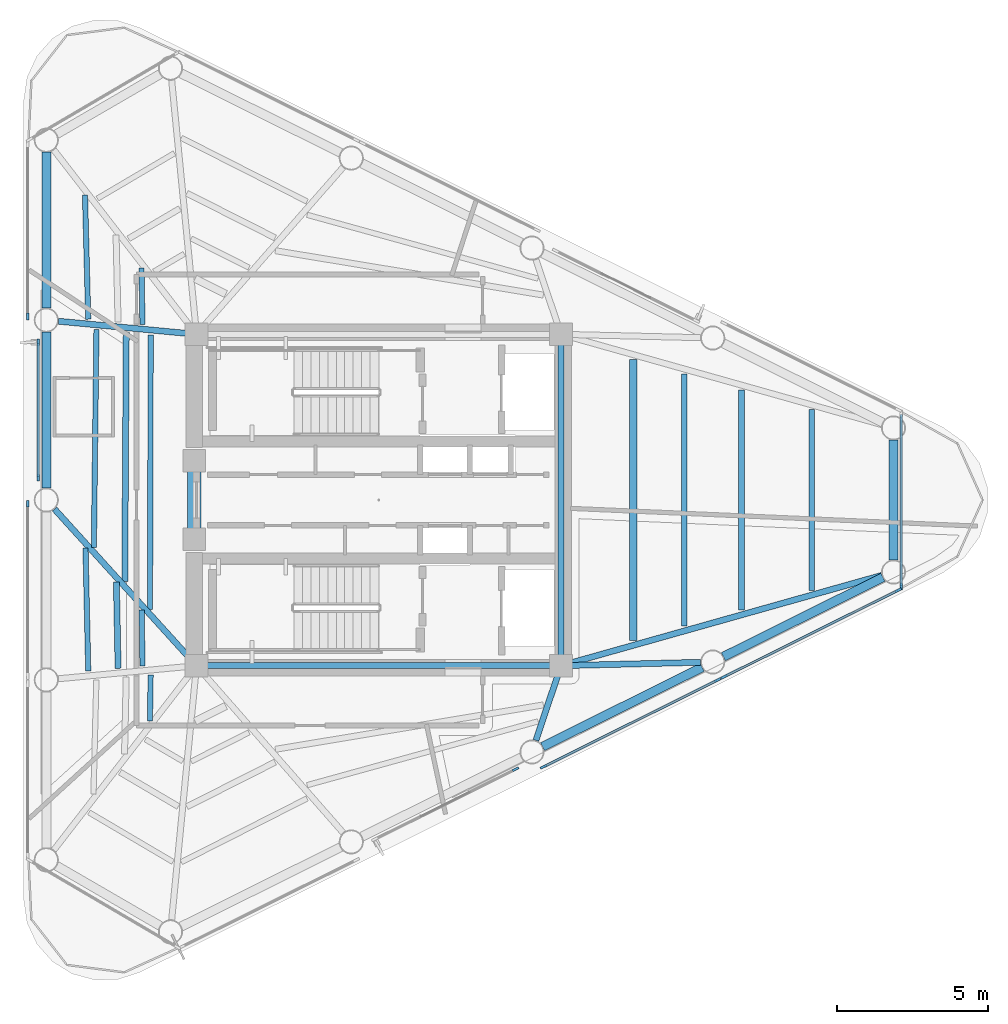
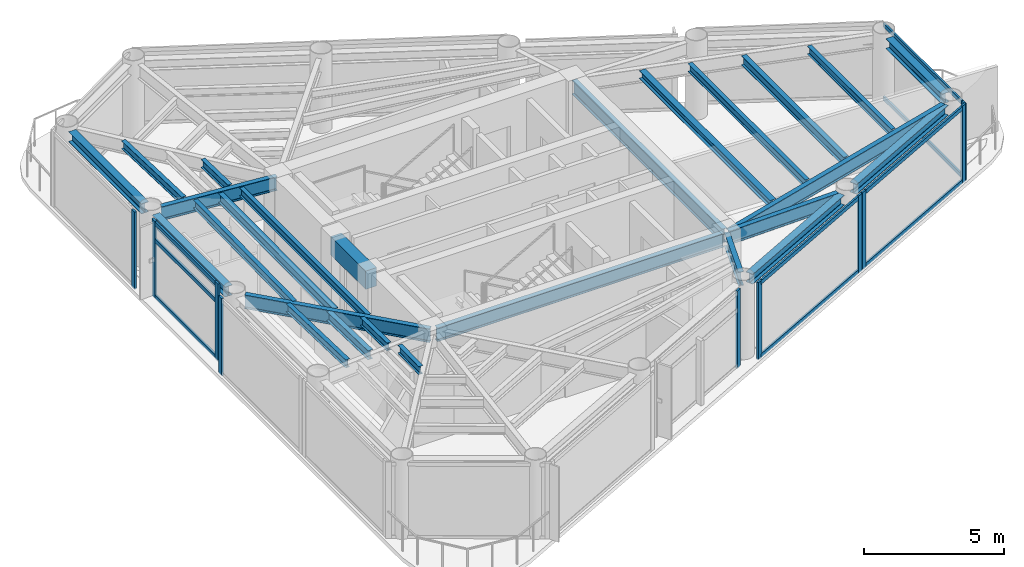
# One storey, part 2 of 10: 26 beams, 19 members, 7 elements without a shape of their own.
"""IFC4 building model written with IfcOpenShell, lengths in metres."""

from ifc_helpers import new_model, si_unit, direction, frame, origin, origin_2d, place, context, subcontext, project, spatial, rectangle, i_section, extrude, source, transform, mapped, material, layer, layer_set, material_profile, profile_set, type_object, element, aggregate, save


model = new_model("IFC4")

# Units and contexts
model_context = context("Model", 3, precision=1e-05, world=origin(), true_north=direction((0.0, 1.0)))
body_context = subcontext(model_context, "Body", "Model", "MODEL_VIEW")
ifc_project = project(units=[si_unit("LENGTHUNIT", "METRE"), si_unit("AREAUNIT", "SQUARE_METRE"), si_unit("VOLUMEUNIT", "CUBIC_METRE"), si_unit("PLANEANGLEUNIT", "RADIAN"), si_unit("MASSUNIT", "GRAM", prefix="KILO")], contexts=[model_context])

# Site, building, storey
site_placement = place(None, origin())
site = spatial("IfcSite", under=ifc_project, at=site_placement, CompositionType="ELEMENT")
building_placement = place(site_placement, origin())
building = spatial("IfcBuilding", under=site, at=building_placement, Name="Yunling Apex Tower", CompositionType="ELEMENT")
storey_placement = place(building_placement, frame((0.0, 0.0, 289.85009765625)))
storey = spatial("IfcBuildingStorey", under=building, at=storey_placement, Name="L70", CompositionType="ELEMENT", Elevation=289.85009765625)

# Beams
ifc_material_1 = material(Name="Concrete C40", Category="concrete")
ifc_material_profile_1 = material_profile(ifc_material_1, rectangle(XDim=0.449951171875, YDim=0.800048828125, at=origin_2d()))
ifc_profile_set_1 = profile_set([ifc_material_profile_1], Name="Concrete C40")
beam_type_1 = type_object("IfcBeamType", Name="BC-CPL-3", PredefinedType="BEAM", material=ifc_profile_set_1)
shared_shape_1 = source(origin(), body_context, "Body", "SweptSolid", [
    extrude(rectangle(XDim=0.449951171875, YDim=0.800048828125, at=origin_2d()), origin(), (0.0, 0.0, 1.0), 2.5),
])
beam_1_placement = place(storey_placement, frame((-6.125, -1.25, 2.869873046875), z_axis=(0.0, 1.0, 0.0), x_axis=(-1.0, 0.0, 0.0)))
element("IfcBeam", 1, at=beam_1_placement, inside=storey, type_object=beam_type_1, Name="L70 Core West Portal Coupling Beam", PredefinedType="BEAM", context=body_context, shape_type="MappedRepresentation", body=[
    mapped(shared_shape_1, transform((0.0, 0.0, 0.0), scale=1.0)),
])
ifc_material_2 = material(Name="Steel Q355B", Category="steel")
ifc_material_profile_2 = material_profile(ifc_material_2, i_section(OverallWidth=0.199951171875, OverallDepth=0.60009765625, WebThickness=0.010986328125, FlangeThickness=0.01708984375, FilletRadius=0.02197265625, at=origin_2d()))
ifc_profile_set_2 = profile_set([ifc_material_profile_2], Name="Steel Q355B")
beam_type_2 = type_object("IfcBeamType", Name="BG-PRI-5", PredefinedType="USERDEFINED", material=ifc_profile_set_2)
shared_shape_2 = source(origin(), body_context, "Body", "SweptSolid", [
    extrude(i_section(OverallWidth=0.199951171875, OverallDepth=0.60009765625, WebThickness=0.010986328125, FlangeThickness=0.01708984375, FilletRadius=0.02197265625, at=origin_2d()), origin(), (0.0, 0.0, 1.0), 11.7998046875),
])
beam_2_placement = place(storey_placement, frame((-5.89990234375, -5.5, 2.969970703125), z_axis=(1.0, 0.0, 0.0), x_axis=(0.0, 1.0, 0.0)))
element("IfcBeam", 2, at=beam_2_placement, inside=storey, type_object=beam_type_2, Name="L70 Core Ring Tie Beam 1", ObjectType="GIRDER", PredefinedType="USERDEFINED", context=body_context, shape_type="MappedRepresentation", body=[
    mapped(shared_shape_2, transform((0.0, 0.0, 0.0), scale=1.0)),
])
shared_shape_3 = source(origin(), body_context, "Body", "SweptSolid", [
    extrude(i_section(OverallWidth=0.199951171875, OverallDepth=0.60009765625, WebThickness=0.010986328125, FlangeThickness=0.01708984375, FilletRadius=0.02197265625, at=origin_2d()), origin(), (0.0, 0.0, 1.0), 10.7001953125),
])
beam_3_placement = place(storey_placement, frame((6.050048828125, -5.35009765625, 2.969970703125), z_axis=(0.0, 1.0, 0.0), x_axis=(-1.0, 0.0, 0.0)))
element("IfcBeam", 3, at=beam_3_placement, inside=storey, type_object=beam_type_2, Name="L70 Core Ring Tie Beam 2", ObjectType="GIRDER", PredefinedType="USERDEFINED", context=body_context, shape_type="MappedRepresentation", body=[
    mapped(shared_shape_3, transform((0.0, 0.0, 0.0), scale=1.0)),
])
ifc_material_profile_3 = material_profile(ifc_material_2, i_section(OverallWidth=0.300048828125, OverallDepth=0.43994140625, WebThickness=0.010986328125, FlangeThickness=0.01806640625, FilletRadius=0.02197265625, at=origin_2d()))
ifc_profile_set_3 = profile_set([ifc_material_profile_3], Name="Steel Q355B")
beam_type_3 = type_object("IfcBeamType", Name="BP-SPN-3", PredefinedType="SPANDREL", material=ifc_profile_set_3)
shared_shape_4 = source(origin(), body_context, "Body", "SweptSolid", [
    extrude(i_section(OverallWidth=0.300048828125, OverallDepth=0.43994140625, WebThickness=0.010986328125, FlangeThickness=0.01806640625, FilletRadius=0.02197265625, at=origin_2d()), origin(), (0.0, 0.0, 1.0), 5.9140625),
])
for number, where, z_axis, x_axis, name in (
    (4, (5.43896484375, -8.1884765625, 3.0498046875), (0.895259510924, 0.445545068539, 0.0), (-0.445545068539, 0.895259510924, 0.0), "L70 Perimeter Spandrel Beam 3"),
    (5, (11.439208984375, -5.2021484375, 3.0498046875), (0.895259510924, 0.445545068539, 0.0), (-0.445545068539, 0.895259510924, 0.0), "L70 Perimeter Spandrel Beam 4"),
):
    element("IfcBeam", number, at=place(storey_placement, frame(where, z_axis=z_axis, x_axis=x_axis)), inside=storey, type_object=beam_type_3, Name=name, PredefinedType="SPANDREL", context=body_context, shape_type="MappedRepresentation", body=[
        mapped(shared_shape_4, transform((0.0, 0.0, 0.0), scale=1.0)),
    ])
shared_shape_5 = source(origin(), body_context, "Body", "SweptSolid", [
    extrude(i_section(OverallWidth=0.300048828125, OverallDepth=0.43994140625, WebThickness=0.010986328125, FlangeThickness=0.01806640625, FilletRadius=0.02197265625, at=origin_2d()), origin(), (0.0, 0.0, 1.0), 3.9951171875),
])
beam_4_placement = place(storey_placement, frame((17.086669921875, -1.99755859375, 3.0498046875), z_axis=(0.0, 1.0, 0.0), x_axis=(-1.0, 0.0, 0.0)))
element("IfcBeam", 6, at=beam_4_placement, inside=storey, type_object=beam_type_3, Name="L70 Perimeter Spandrel Beam 5", PredefinedType="SPANDREL", context=body_context, shape_type="MappedRepresentation", body=[
    mapped(shared_shape_5, transform((0.0, 0.0, 0.0), scale=1.0)),
])
shared_shape_6 = source(origin(), body_context, "Body", "SweptSolid", [
    extrude(i_section(OverallWidth=0.300048828125, OverallDepth=0.43994140625, WebThickness=0.010986328125, FlangeThickness=0.01806640625, FilletRadius=0.02197265625, at=origin_2d()), origin(), (0.0, 0.0, 1.0), 5.1845703125),
])
for number, where, z_axis, x_axis, name in (
    (7, (-11.037353515625, 11.55126953125, 3.0498046875), (0.0, -1.0, 0.0), (1.0, 0.0, 0.0), "L70 Perimeter Spandrel Beam 11"),
    (8, (-11.037353515625, 5.57861328125, 3.0498046875), (0.0, -1.0, 0.0), (1.0, 0.0, 0.0), "L70 Perimeter Spandrel Beam 12"),
):
    element("IfcBeam", number, at=place(storey_placement, frame(where, z_axis=z_axis, x_axis=x_axis)), inside=storey, type_object=beam_type_3, Name=name, PredefinedType="SPANDREL", context=body_context, shape_type="MappedRepresentation", body=[
        mapped(shared_shape_6, transform((0.0, 0.0, 0.0), scale=1.0)),
    ])
shared_shape_7 = source(origin(), body_context, "Body", "SweptSolid", [
    extrude(i_section(OverallWidth=0.199951171875, OverallDepth=0.60009765625, WebThickness=0.010986328125, FlangeThickness=0.01708984375, FilletRadius=0.02197265625, at=origin_2d()), origin(), (0.0, 0.0, 1.0), 2.533935546875),
])
beam_5_placement = place(storey_placement, frame((5.21630859375, -7.977294921875, 2.969970703125), z_axis=(0.318914628896, 0.947783445454, 0.0), x_axis=(-0.947783445454, 0.318914628896, 0.0)))
element("IfcBeam", 9, at=beam_5_placement, inside=storey, type_object=beam_type_2, Name="L70 Radial Primary Girder R03", ObjectType="GIRDER", PredefinedType="USERDEFINED", context=body_context, shape_type="MappedRepresentation", body=[
    mapped(shared_shape_7, transform((0.0, 0.0, 0.0), scale=1.0)),
])
shared_shape_8 = source(origin(), body_context, "Body", "SweptSolid", [
    extrude(i_section(OverallWidth=0.199951171875, OverallDepth=0.60009765625, WebThickness=0.010986328125, FlangeThickness=0.01708984375, FilletRadius=0.02197265625, at=origin_2d()), origin(), (0.0, 0.0, 1.0), 4.5498046875),
])
beam_6_placement = place(storey_placement, frame((10.678466796875, -5.3876953125, 2.969970703125), z_axis=(-0.999705840498, -0.024253504369, 0.0), x_axis=(0.024253504369, -0.999705840498, 0.0)))
element("IfcBeam", 10, at=beam_6_placement, inside=storey, type_object=beam_type_2, Name="L70 Radial Primary Girder R04", ObjectType="GIRDER", PredefinedType="USERDEFINED", context=body_context, shape_type="MappedRepresentation", body=[
    mapped(shared_shape_8, transform((0.0, 0.0, 0.0), scale=1.0)),
])
shared_shape_9 = source(origin(), body_context, "Body", "SweptSolid", [
    extrude(i_section(OverallWidth=0.199951171875, OverallDepth=0.60009765625, WebThickness=0.010986328125, FlangeThickness=0.01708984375, FilletRadius=0.02197265625, at=origin_2d()), origin(), (0.0, 0.0, 1.0), 10.97802734375),
])
beam_7_placement = place(storey_placement, frame((16.69384765625, -2.502197265625, 2.969970703125), z_axis=(-0.962552702816, -0.271094622414, 0.0), x_axis=(0.271094622414, -0.962552702816, 0.0)))
element("IfcBeam", 11, at=beam_7_placement, inside=storey, type_object=beam_type_2, Name="L70 Radial Primary Girder R05", ObjectType="GIRDER", PredefinedType="USERDEFINED", context=body_context, shape_type="MappedRepresentation", body=[
    mapped(shared_shape_9, transform((0.0, 0.0, 0.0), scale=1.0)),
])
shared_shape_10 = source(origin(), body_context, "Body", "SweptSolid", [
    extrude(i_section(OverallWidth=0.199951171875, OverallDepth=0.60009765625, WebThickness=0.010986328125, FlangeThickness=0.01708984375, FilletRadius=0.02197265625, at=origin_2d()), origin(), (0.0, 0.0, 1.0), 4.521728515625),
])
beam_8_placement = place(storey_placement, frame((-10.631103515625, 5.93408203125, 2.969970703125), z_axis=(0.99554122067, -0.094327503661, 0.0), x_axis=(0.094327503661, 0.99554122067, 0.0)))
element("IfcBeam", 12, at=beam_8_placement, inside=storey, type_object=beam_type_2, Name="L70 Radial Primary Girder R12", ObjectType="GIRDER", PredefinedType="USERDEFINED", context=body_context, shape_type="MappedRepresentation", body=[
    mapped(shared_shape_10, transform((0.0, 0.0, 0.0), scale=1.0)),
])
shared_shape_11 = source(origin(), body_context, "Body", "SweptSolid", [
    extrude(i_section(OverallWidth=0.199951171875, OverallDepth=0.60009765625, WebThickness=0.010986328125, FlangeThickness=0.01708984375, FilletRadius=0.02197265625, at=origin_2d()), origin(), (0.0, 0.0, 1.0), 6.9365234375),
])
beam_9_placement = place(storey_placement, frame((-10.76318359375, -0.30224609375, 2.969970703125), z_axis=(0.671734994532, -0.740791534185, 0.0), x_axis=(0.740791534185, 0.671734994532, 0.0)))
element("IfcBeam", 13, at=beam_9_placement, inside=storey, type_object=beam_type_2, Name="L70 Radial Primary Girder R13", ObjectType="GIRDER", PredefinedType="USERDEFINED", context=body_context, shape_type="MappedRepresentation", body=[
    mapped(shared_shape_11, transform((0.0, 0.0, 0.0), scale=1.0)),
])
ifc_material_profile_4 = material_profile(ifc_material_2, i_section(OverallWidth=0.199951171875, OverallDepth=0.39990234375, WebThickness=0.008056640625, FlangeThickness=0.012939453125, FilletRadius=0.01611328125, at=origin_2d()))
ifc_profile_set_4 = profile_set([ifc_material_profile_4], Name="Steel Q355B")
beam_type_4 = type_object("IfcBeamType", Name="BS-SEC-4", PredefinedType="BEAM", material=ifc_profile_set_4)
shared_shape_12 = source(origin(), body_context, "Body", "SweptSolid", [
    extrude(i_section(OverallWidth=0.199951171875, OverallDepth=0.39990234375, WebThickness=0.008056640625, FlangeThickness=0.012939453125, FilletRadius=0.01611328125, at=origin_2d()), origin(), (0.0, 0.0, 1.0), 7.30322265625),
])
beam_10_placement = place(storey_placement, frame((12.04443359375, -3.651611328125, 3.06982421875), z_axis=(0.0, 1.0, 0.0), x_axis=(-1.0, 0.0, 0.0)))
element("IfcBeam", 14, at=beam_10_placement, inside=storey, type_object=beam_type_4, Name="L70 Composite Floor Beam BS-5", PredefinedType="BEAM", context=body_context, shape_type="MappedRepresentation", body=[
    mapped(shared_shape_12, transform((0.0, 0.0, 0.0), scale=1.0)),
])
ifc_material_profile_5 = material_profile(ifc_material_2, i_section(OverallWidth=0.175048828125, OverallDepth=0.35009765625, WebThickness=0.007080078125, FlangeThickness=0.010986328125, FilletRadius=0.013916015625, at=origin_2d()))
ifc_profile_set_5 = profile_set([ifc_material_profile_5], Name="Steel Q355B")
beam_type_5 = type_object("IfcBeamType", Name="BJ-JST-1", PredefinedType="JOIST", material=ifc_profile_set_5)
shared_shape_13 = source(origin(), body_context, "Body", "SweptSolid", [
    extrude(i_section(OverallWidth=0.175048828125, OverallDepth=0.35009765625, WebThickness=0.007080078125, FlangeThickness=0.010986328125, FilletRadius=0.013916015625, at=origin_2d()), origin(), (0.0, 0.0, 1.0), 5.99365234375),
])
beam_11_placement = place(storey_placement, frame((14.369140625, -2.996826171875, 3.094970703125), z_axis=(0.0, 1.0, 0.0), x_axis=(-1.0, 0.0, 0.0)))
element("IfcBeam", 15, at=beam_11_placement, inside=storey, type_object=beam_type_5, Name="L70 Composite Floor Joist BJ1-5", PredefinedType="JOIST", context=body_context, shape_type="MappedRepresentation", body=[
    mapped(shared_shape_13, transform((0.0, 0.0, 0.0), scale=1.0)),
])
shared_shape_14 = source(origin(), body_context, "Body", "SweptSolid", [
    extrude(i_section(OverallWidth=0.175048828125, OverallDepth=0.35009765625, WebThickness=0.007080078125, FlangeThickness=0.010986328125, FilletRadius=0.013916015625, at=origin_2d()), origin(), (0.0, 0.0, 1.0), 8.37451171875),
])
beam_12_placement = place(storey_placement, frame((10.142333984375, -4.187255859375, 3.094970703125), z_axis=(0.0, 1.0, 0.0), x_axis=(-1.0, 0.0, 0.0)))
element("IfcBeam", 16, at=beam_12_placement, inside=storey, type_object=beam_type_5, Name="L70 Composite Floor Joist BJ3-5", PredefinedType="JOIST", context=body_context, shape_type="MappedRepresentation", body=[
    mapped(shared_shape_14, transform((0.0, 0.0, 0.0), scale=1.0)),
])
ifc_material_profile_6 = material_profile(ifc_material_2, i_section(OverallWidth=0.25, OverallDepth=0.340087890625, WebThickness=0.009033203125, FlangeThickness=0.013916015625, FilletRadius=0.01806640625, at=origin_2d()))
ifc_profile_set_6 = profile_set([ifc_material_profile_6], Name="Steel Q355B")
beam_type_6 = type_object("IfcBeamType", Name="BJ-JST-2", PredefinedType="JOIST", material=ifc_profile_set_6)
shared_shape_15 = source(origin(), body_context, "Body", "SweptSolid", [
    extrude(i_section(OverallWidth=0.25, OverallDepth=0.340087890625, WebThickness=0.009033203125, FlangeThickness=0.013916015625, FilletRadius=0.01806640625, at=origin_2d()), origin(), (0.0, 0.0, 1.0), 9.3271484375),
])
beam_13_placement = place(storey_placement, frame((8.45166015625, -4.66357421875, 3.099853515625), z_axis=(0.0, 1.0, 0.0), x_axis=(-1.0, 0.0, 0.0)))
element("IfcBeam", 17, at=beam_13_placement, inside=storey, type_object=beam_type_6, Name="L70 Composite Floor Joist BJ2-5", PredefinedType="JOIST", context=body_context, shape_type="MappedRepresentation", body=[
    mapped(shared_shape_15, transform((0.0, 0.0, 0.0), scale=1.0)),
])
shared_shape_16 = source(origin(), body_context, "Body", "SweptSolid", [
    extrude(i_section(OverallWidth=0.175048828125, OverallDepth=0.35009765625, WebThickness=0.007080078125, FlangeThickness=0.010986328125, FilletRadius=0.013916015625, at=origin_2d()), origin(), (0.0, 0.0, 1.0), 4.130859375),
])
beam_14_placement = place(storey_placement, frame((-9.751953125, 10.129638671875, 3.094970703125), z_axis=(0.025887029391, -0.9996648747, 0.0), x_axis=(0.9996648747, 0.025887029391, 0.0)))
element("IfcBeam", 18, at=beam_14_placement, inside=storey, type_object=beam_type_5, Name="L70 Composite Floor Joist BJ1-11", PredefinedType="JOIST", context=body_context, shape_type="MappedRepresentation", body=[
    mapped(shared_shape_16, transform((0.0, 0.0, 0.0), scale=1.0)),
])
shared_shape_17 = source(origin(), body_context, "Body", "SweptSolid", [
    extrude(i_section(OverallWidth=0.175048828125, OverallDepth=0.35009765625, WebThickness=0.007080078125, FlangeThickness=0.010986328125, FilletRadius=0.013916015625, at=origin_2d()), origin(), (0.0, 0.0, 1.0), 1.87646484375),
])
beam_15_placement = place(storey_placement, frame((-7.877685546875, 7.705810546875, 3.094970703125), z_axis=(0.01847440018, -0.999829333705, 0.0), x_axis=(0.999829333705, 0.01847440018, 0.0)))
element("IfcBeam", 19, at=beam_15_placement, inside=storey, type_object=beam_type_5, Name="L70 Composite Floor Joist BJ3-11", PredefinedType="JOIST", context=body_context, shape_type="MappedRepresentation", body=[
    mapped(shared_shape_17, transform((0.0, 0.0, 0.0), scale=1.0)),
])
shared_shape_18 = source(origin(), body_context, "Body", "SweptSolid", [
    extrude(i_section(OverallWidth=0.199951171875, OverallDepth=0.39990234375, WebThickness=0.008056640625, FlangeThickness=0.012939453125, FilletRadius=0.01611328125, at=origin_2d()), origin(), (0.0, 0.0, 1.0), 8.2724609375),
])
beam_16_placement = place(storey_placement, frame((-8.38134765625, 5.560791015625, 3.06982421875), z_axis=(-0.006197679272, -0.999980794201, 0.0), x_axis=(0.999980794201, -0.006197679272, 0.0)))
element("IfcBeam", 20, at=beam_16_placement, inside=storey, type_object=beam_type_4, Name="L70 Composite Floor Beam BS-12", PredefinedType="BEAM", context=body_context, shape_type="MappedRepresentation", body=[
    mapped(shared_shape_18, transform((0.0, 0.0, 0.0), scale=1.0)),
])
shared_shape_19 = source(origin(), body_context, "Body", "SweptSolid", [
    extrude(i_section(OverallWidth=0.175048828125, OverallDepth=0.35009765625, WebThickness=0.007080078125, FlangeThickness=0.010986328125, FilletRadius=0.013916015625, at=origin_2d()), origin(), (0.0, 0.0, 1.0), 7.236328125),
])
beam_17_placement = place(storey_placement, frame((-9.37255859375, 5.65478515625, 3.094970703125), z_axis=(-0.011639673006, -0.999932256712, 0.0), x_axis=(0.999932256712, -0.011639673006, 0.0)))
element("IfcBeam", 21, at=beam_17_placement, inside=storey, type_object=beam_type_5, Name="L70 Composite Floor Joist BJ1-12", PredefinedType="JOIST", context=body_context, shape_type="MappedRepresentation", body=[
    mapped(shared_shape_19, transform((0.0, 0.0, 0.0), scale=1.0)),
])
shared_shape_20 = source(origin(), body_context, "Body", "SweptSolid", [
    extrude(i_section(OverallWidth=0.175048828125, OverallDepth=0.35009765625, WebThickness=0.007080078125, FlangeThickness=0.010986328125, FilletRadius=0.013916015625, at=origin_2d()), origin(), (0.0, 0.0, 1.0), 9.120361328125),
])
beam_18_placement = place(storey_placement, frame((-7.570556640625, 5.48388671875, 3.094970703125), z_axis=(-0.002596559494, -0.999996628934, 0.0), x_axis=(0.999996628934, -0.002596559494, 0.0)))
element("IfcBeam", 22, at=beam_18_placement, inside=storey, type_object=beam_type_5, Name="L70 Composite Floor Joist BJ3-12", PredefinedType="JOIST", context=body_context, shape_type="MappedRepresentation", body=[
    mapped(shared_shape_20, transform((0.0, 0.0, 0.0), scale=1.0)),
])
shared_shape_21 = source(origin(), body_context, "Body", "SweptSolid", [
    extrude(i_section(OverallWidth=0.199951171875, OverallDepth=0.39990234375, WebThickness=0.008056640625, FlangeThickness=0.012939453125, FilletRadius=0.01611328125, at=origin_2d()), origin(), (0.0, 0.0, 1.0), 2.86376953125),
])
beam_19_placement = place(storey_placement, frame((-8.7099609375, -2.72314453125, 3.06982421875), z_axis=(0.019692633422, -0.999806081292, 0.0), x_axis=(0.999806081292, 0.019692633422, 0.0)))
element("IfcBeam", 23, at=beam_19_placement, inside=storey, type_object=beam_type_4, Name="L70 Composite Floor Beam BS-13", PredefinedType="BEAM", context=body_context, shape_type="MappedRepresentation", body=[
    mapped(shared_shape_21, transform((0.0, 0.0, 0.0), scale=1.0)),
])
shared_shape_22 = source(origin(), body_context, "Body", "SweptSolid", [
    extrude(i_section(OverallWidth=0.175048828125, OverallDepth=0.35009765625, WebThickness=0.007080078125, FlangeThickness=0.010986328125, FilletRadius=0.013916015625, at=origin_2d()), origin(), (0.0, 0.0, 1.0), 4.0888671875),
])
beam_20_placement = place(storey_placement, frame((-9.734619140625, -1.592529296875, 3.094970703125), z_axis=(0.022092074649, -0.999755940336, 0.0), x_axis=(0.999755940336, 0.022092074649, 0.0)))
element("IfcBeam", 24, at=beam_20_placement, inside=storey, type_object=beam_type_5, Name="L70 Composite Floor Joist BJ1-13", PredefinedType="JOIST", context=body_context, shape_type="MappedRepresentation", body=[
    mapped(shared_shape_22, transform((0.0, 0.0, 0.0), scale=1.0)),
])
shared_shape_23 = source(origin(), body_context, "Body", "SweptSolid", [
    extrude(i_section(OverallWidth=0.175048828125, OverallDepth=0.35009765625, WebThickness=0.007080078125, FlangeThickness=0.010986328125, FilletRadius=0.013916015625, at=origin_2d()), origin(), (0.0, 0.0, 1.0), 1.861572265625),
])
beam_21_placement = place(storey_placement, frame((-7.871826171875, -3.648193359375, 3.094970703125), z_axis=(0.015606703404, -0.999878207988, 0.0), x_axis=(0.999878207988, 0.015606703404, 0.0)))
element("IfcBeam", 25, at=beam_21_placement, inside=storey, type_object=beam_type_5, Name="L70 Composite Floor Joist BJ3-13", PredefinedType="JOIST", context=body_context, shape_type="MappedRepresentation", body=[
    mapped(shared_shape_23, transform((0.0, 0.0, 0.0), scale=1.0)),
])
shared_shape_24 = source(origin(), body_context, "Body", "SweptSolid", [
    extrude(i_section(OverallWidth=0.175048828125, OverallDepth=0.35009765625, WebThickness=0.007080078125, FlangeThickness=0.010986328125, FilletRadius=0.013916015625, at=origin_2d()), origin(), (0.0, 0.0, 1.0), 1.53857421875),
])
beam_22_placement = place(storey_placement, frame((-7.572509765625, -5.803955078125, 3.094970703125), z_axis=(-0.015709852828, -0.999876592647, 0.0), x_axis=(0.999876592647, -0.015709852828, 0.0)))
element("IfcBeam", 26, at=beam_22_placement, inside=storey, type_object=beam_type_5, Name="L70 Composite Floor Joist BJ3-14", PredefinedType="JOIST", context=body_context, shape_type="MappedRepresentation", body=[
    mapped(shared_shape_24, transform((0.0, 0.0, 0.0), scale=1.0)),
])

# Curtain wall, member
ifc_material_3 = material(Name="Bronze anodised aluminium", Category="aluminium")
ifc_layer = layer(ifc_material_3, 0.219970703125)
ifc_layer_set = layer_set([ifc_layer], Name="Bronze anodised aluminium")
curtain_wall_type = type_object("IfcCurtainWallType", Name="CW-SYS-4", PredefinedType="NOTDEFINED", material=ifc_layer_set)
curtain_wall_1_placement = place(storey_placement, origin())
curtain_wall_1 = element("IfcCurtainWall", 27, at=curtain_wall_1_placement, inside=storey, type_object=curtain_wall_type, Name="CW-L70-F1-B2", PredefinedType="NOTDEFINED")
ifc_material_profile_7 = material_profile(ifc_material_3, rectangle(XDim=0.080078125, YDim=0.219970703125, at=origin_2d()))
ifc_profile_set_7 = profile_set([ifc_material_profile_7], Name="Bronze anodised aluminium")
member_type_1 = type_object("IfcMemberType", Name="CW-MUL-4", PredefinedType="MULLION", material=ifc_profile_set_7)
shared_shape_25 = source(origin(), body_context, "Body", "SweptSolid", [
    extrude(rectangle(XDim=0.080078125, YDim=0.219970703125, at=origin_2d()), origin(), (0.0, 0.0, 1.0), 3.369873046875),
])
member_1_placement = place(storey_placement, frame((4.544189453125, -8.935546875, -0.050048828125), z_axis=(0.0, 0.0, 1.0), x_axis=(-0.445560721723, 0.895251720611, 0.0)))
member_1 = element("IfcMember", 28, at=member_1_placement, type_object=member_type_1, Name="CW-SYS-4 mullion 2", PredefinedType="MULLION", context=body_context, shape_type="MappedRepresentation", body=[
    mapped(shared_shape_25, transform((0.0, 0.0, 0.0), scale=1.0)),
])
aggregate(curtain_wall_1, [member_1])

# Curtain wall, members
curtain_wall_2_placement = place(storey_placement, origin())
curtain_wall_2 = element("IfcCurtainWall", 29, at=curtain_wall_2_placement, inside=storey, type_object=curtain_wall_type, Name="CW-L70-F1-B3", PredefinedType="NOTDEFINED")
member_2_placement = place(storey_placement, frame((5.465576171875, -8.856689453125, -0.050048828125), z_axis=(0.0, 0.0, 1.0), x_axis=(-0.445580385698, 0.895241933715, 0.0)))
member_2 = element("IfcMember", 30, at=member_2_placement, type_object=member_type_1, Name="CW-SYS-4 mullion 1", PredefinedType="MULLION", context=body_context, shape_type="MappedRepresentation", body=[
    mapped(shared_shape_25, transform((0.0, 0.0, 0.0), scale=1.0)),
])
member_3_placement = place(storey_placement, frame((11.250732421875, -5.977294921875, -0.050048828125), z_axis=(0.0, 0.0, 1.0), x_axis=(-0.445580385698, 0.895241933715, 0.0)))
member_3 = element("IfcMember", 31, at=member_3_placement, type_object=member_type_1, Name="CW-SYS-4 mullion 2", PredefinedType="MULLION", context=body_context, shape_type="MappedRepresentation", body=[
    mapped(shared_shape_25, transform((0.0, 0.0, 0.0), scale=1.0)),
])

curtain_wall_3_placement = place(storey_placement, origin())
curtain_wall_3 = element("IfcCurtainWall", 32, at=curtain_wall_3_placement, inside=storey, type_object=curtain_wall_type, Name="CW-L70-F1-B4", PredefinedType="NOTDEFINED")
member_4_placement = place(storey_placement, frame((11.465576171875, -5.870361328125, -0.050048828125), z_axis=(0.0, 0.0, 1.0), x_axis=(-0.445568135078, 0.895248030996, 0.0)))
member_4 = element("IfcMember", 33, at=member_4_placement, type_object=member_type_1, Name="CW-SYS-4 mullion 1", PredefinedType="MULLION", context=body_context, shape_type="MappedRepresentation", body=[
    mapped(shared_shape_25, transform((0.0, 0.0, 0.0), scale=1.0)),
])
member_5_placement = place(storey_placement, frame((17.2509765625, -2.990966796875, -0.050048828125), z_axis=(0.0, 0.0, 1.0), x_axis=(-0.445568135078, 0.895248030996, 0.0)))
member_5 = element("IfcMember", 34, at=member_5_placement, type_object=member_type_1, Name="CW-SYS-4 mullion 2", PredefinedType="MULLION", context=body_context, shape_type="MappedRepresentation", body=[
    mapped(shared_shape_25, transform((0.0, 0.0, 0.0), scale=1.0)),
])

# Curtain wall, member
curtain_wall_4_placement = place(storey_placement, origin())
curtain_wall_4 = element("IfcCurtainWall", 35, at=curtain_wall_4_placement, inside=storey, type_object=curtain_wall_type, Name="CW-L70-CRN1", PredefinedType="NOTDEFINED")
member_6_placement = place(storey_placement, frame((17.349365234375, -2.879638671875, -0.050048828125), z_axis=(0.0, 0.0, 1.0), x_axis=(-1.0, 0.0, 0.0)))
member_6 = element("IfcMember", 36, at=member_6_placement, type_object=member_type_1, Name="CW-SYS-4 mullion 1", PredefinedType="MULLION", context=body_context, shape_type="MappedRepresentation", body=[
    mapped(shared_shape_25, transform((0.0, 0.0, 0.0), scale=1.0)),
])

curtain_wall_5_placement = place(storey_placement, origin())
curtain_wall_5 = element("IfcCurtainWall", 37, at=curtain_wall_5_placement, inside=storey, type_object=curtain_wall_type, Name="CW-L70-F3-B1", PredefinedType="NOTDEFINED")
member_7_placement = place(storey_placement, frame((-11.647216796875, 6.092529296875, -0.050048828125), z_axis=(0.0, 0.0, 1.0), x_axis=(1.0, 0.0, 0.0)))
member_7 = element("IfcMember", 38, at=member_7_placement, type_object=member_type_1, Name="CW-SYS-4 mullion 2", PredefinedType="MULLION", context=body_context, shape_type="MappedRepresentation", body=[
    mapped(shared_shape_25, transform((0.0, 0.0, 0.0), scale=1.0)),
])
aggregate(curtain_wall_5, [member_7])

# Curtain wall, members
curtain_wall_6_placement = place(storey_placement, origin())
curtain_wall_6 = element("IfcCurtainWall", 39, at=curtain_wall_6_placement, inside=storey, type_object=curtain_wall_type, Name="CW-L70-F3-B2", PredefinedType="NOTDEFINED")
member_8_placement = place(storey_placement, frame((-11.307373046875, 5.232666015625, -0.050048828125), z_axis=(0.0, 0.0, 1.0), x_axis=(1.0, 0.0, 0.0)))
member_8 = element("IfcMember", 40, at=member_8_placement, type_object=member_type_1, Name="CW-SYS-4 mullion 1", PredefinedType="MULLION", context=body_context, shape_type="MappedRepresentation", body=[
    mapped(shared_shape_25, transform((0.0, 0.0, 0.0), scale=1.0)),
])
member_9_placement = place(storey_placement, frame((-11.307373046875, 0.739990234375, -0.050048828125), z_axis=(0.0, 0.0, 1.0), x_axis=(1.0, 0.0, 0.0)))
member_9 = element("IfcMember", 41, at=member_9_placement, type_object=member_type_1, Name="CW-SYS-4 mullion 2", PredefinedType="MULLION", context=body_context, shape_type="MappedRepresentation", body=[
    mapped(shared_shape_25, transform((0.0, 0.0, 0.0), scale=1.0)),
])

# Curtain wall, member
curtain_wall_7_placement = place(storey_placement, origin())
curtain_wall_7 = element("IfcCurtainWall", 42, at=curtain_wall_7_placement, inside=storey, type_object=curtain_wall_type, Name="CW-L70-F3-B3", PredefinedType="NOTDEFINED")
member_10_placement = place(storey_placement, frame((-11.647216796875, -0.1201171875, -0.050048828125), z_axis=(0.0, 0.0, 1.0), x_axis=(1.0, 0.0, 0.0)))
member_10 = element("IfcMember", 43, at=member_10_placement, type_object=member_type_1, Name="CW-SYS-4 mullion 1", PredefinedType="MULLION", context=body_context, shape_type="MappedRepresentation", body=[
    mapped(shared_shape_25, transform((0.0, 0.0, 0.0), scale=1.0)),
])
aggregate(curtain_wall_7, [member_10])

# Member
ifc_material_profile_8 = material_profile(ifc_material_3, rectangle(XDim=0.080078125, YDim=0.169921875, at=origin_2d()))
ifc_profile_set_8 = profile_set([ifc_material_profile_8], Name="Bronze anodised aluminium")
member_type_2 = type_object("IfcMemberType", Name="CW-TRN-4", PredefinedType="USERDEFINED", material=ifc_profile_set_8)
shared_shape_26 = source(origin(), body_context, "Body", "SweptSolid", [
    extrude(rectangle(XDim=0.080078125, YDim=0.169921875, at=origin_2d()), origin(), (0.0, 0.0, 1.0), 6.39013671875),
])
member_11_placement = place(storey_placement, frame((5.497802734375, -8.8408203125, 0.039794921875), z_axis=(0.895235684646, 0.445592940851, 0.0), x_axis=(-0.445592940851, 0.895235684646, 0.0)))
member_11 = element("IfcMember", 44, at=member_11_placement, type_object=member_type_2, Name="CW-SYS-4 transom 1.1", ObjectType="TRANSOM", PredefinedType="USERDEFINED", context=body_context, shape_type="MappedRepresentation", body=[
    mapped(shared_shape_26, transform((0.0, 0.0, 0.0), scale=1.0)),
])

member_12_placement = place(storey_placement, frame((5.497802734375, -8.8408203125, 3.22998046875), z_axis=(0.895235684646, 0.445592940851, 0.0), x_axis=(-0.445592940851, 0.895235684646, 0.0)))
member_12 = element("IfcMember", 45, at=member_12_placement, type_object=member_type_2, Name="CW-SYS-4 transom 1.2", ObjectType="TRANSOM", PredefinedType="USERDEFINED", context=body_context, shape_type="MappedRepresentation", body=[
    mapped(shared_shape_26, transform((0.0, 0.0, 0.0), scale=1.0)),
])

aggregate(curtain_wall_2, [member_2, member_3, member_11, member_12])

shared_shape_27 = source(origin(), body_context, "Body", "SweptSolid", [
    extrude(rectangle(XDim=0.080078125, YDim=0.169921875, at=origin_2d()), origin(), (0.0, 0.0, 1.0), 6.390380859375),
])
member_13_placement = place(storey_placement, frame((11.497802734375, -5.854248046875, 0.039794921875), z_axis=(0.895258509594, 0.445547080565, 0.0), x_axis=(-0.445547080565, 0.895258509594, 0.0)))
member_13 = element("IfcMember", 46, at=member_13_placement, type_object=member_type_2, Name="CW-SYS-4 transom 1.1", ObjectType="TRANSOM", PredefinedType="USERDEFINED", context=body_context, shape_type="MappedRepresentation", body=[
    mapped(shared_shape_27, transform((0.0, 0.0, 0.0), scale=1.0)),
])

member_14_placement = place(storey_placement, frame((11.497802734375, -5.854248046875, 3.22998046875), z_axis=(0.895258509594, 0.445547080565, 0.0), x_axis=(-0.445547080565, 0.895258509594, 0.0)))
member_14 = element("IfcMember", 47, at=member_14_placement, type_object=member_type_2, Name="CW-SYS-4 transom 1.2", ObjectType="TRANSOM", PredefinedType="USERDEFINED", context=body_context, shape_type="MappedRepresentation", body=[
    mapped(shared_shape_27, transform((0.0, 0.0, 0.0), scale=1.0)),
])

aggregate(curtain_wall_3, [member_4, member_5, member_13, member_14])

shared_shape_28 = source(origin(), body_context, "Body", "SweptSolid", [
    extrude(rectangle(XDim=0.080078125, YDim=0.169921875, at=origin_2d()), origin(), (0.0, 0.0, 1.0), 5.6875),
])
member_15_placement = place(storey_placement, frame((17.349365234375, -2.84375, 0.039794921875), z_axis=(0.0, 1.0, 0.0), x_axis=(-1.0, 0.0, 0.0)))
member_15 = element("IfcMember", 48, at=member_15_placement, type_object=member_type_2, Name="CW-SYS-4 transom 1.1", ObjectType="TRANSOM", PredefinedType="USERDEFINED", context=body_context, shape_type="MappedRepresentation", body=[
    mapped(shared_shape_28, transform((0.0, 0.0, 0.0), scale=1.0)),
])

member_16_placement = place(storey_placement, frame((17.349365234375, -2.84375, 3.22998046875), z_axis=(0.0, 1.0, 0.0), x_axis=(-1.0, 0.0, 0.0)))
member_16 = element("IfcMember", 49, at=member_16_placement, type_object=member_type_2, Name="CW-SYS-4 transom 1.2", ObjectType="TRANSOM", PredefinedType="USERDEFINED", context=body_context, shape_type="MappedRepresentation", body=[
    mapped(shared_shape_28, transform((0.0, 0.0, 0.0), scale=1.0)),
])

aggregate(curtain_wall_4, [member_6, member_15, member_16])

shared_shape_29 = source(origin(), body_context, "Body", "SweptSolid", [
    extrude(rectangle(XDim=0.080078125, YDim=0.169921875, at=origin_2d()), origin(), (0.0, 0.0, 1.0), 4.420654296875),
])
member_17_placement = place(storey_placement, frame((-11.307373046875, 5.196533203125, 0.039794921875), z_axis=(0.0, -1.0, 0.0), x_axis=(1.0, 0.0, 0.0)))
member_17 = element("IfcMember", 50, at=member_17_placement, type_object=member_type_2, Name="CW-SYS-4 transom 1.1", ObjectType="TRANSOM", PredefinedType="USERDEFINED", context=body_context, shape_type="MappedRepresentation", body=[
    mapped(shared_shape_29, transform((0.0, 0.0, 0.0), scale=1.0)),
])

member_18_placement = place(storey_placement, frame((-11.307373046875, 5.196533203125, 2.485107421875), z_axis=(0.0, -1.0, 0.0), x_axis=(1.0, 0.0, 0.0)))
member_18 = element("IfcMember", 51, at=member_18_placement, type_object=member_type_2, Name="CW-SYS-4 transom 1.2", ObjectType="TRANSOM", PredefinedType="USERDEFINED", context=body_context, shape_type="MappedRepresentation", body=[
    mapped(shared_shape_29, transform((0.0, 0.0, 0.0), scale=1.0)),
])

member_19_placement = place(storey_placement, frame((-11.307373046875, 5.196533203125, 3.22998046875), z_axis=(0.0, -1.0, 0.0), x_axis=(1.0, 0.0, 0.0)))
member_19 = element("IfcMember", 52, at=member_19_placement, type_object=member_type_2, Name="CW-SYS-4 transom 1.3", ObjectType="TRANSOM", PredefinedType="USERDEFINED", context=body_context, shape_type="MappedRepresentation", body=[
    mapped(shared_shape_29, transform((0.0, 0.0, 0.0), scale=1.0)),
])

aggregate(curtain_wall_6, [member_8, member_9, member_17, member_18, member_19])

save(model, "model.ifc")
